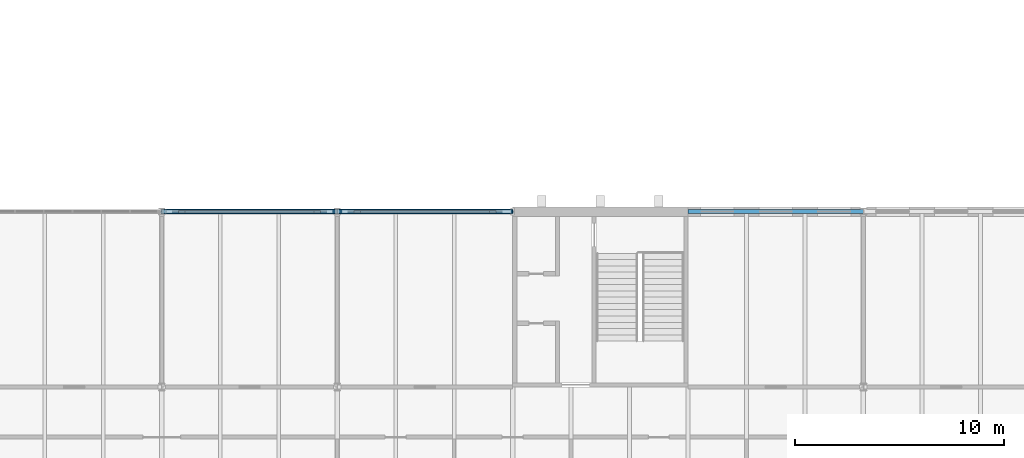
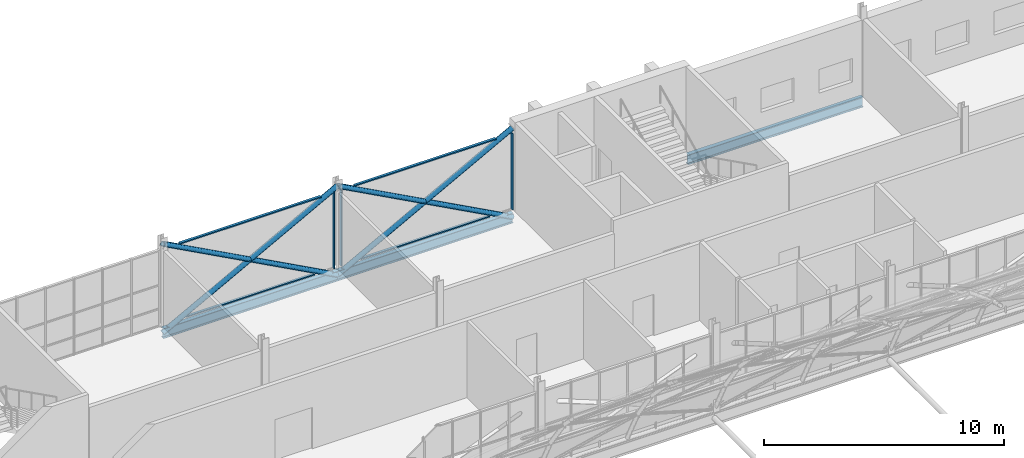
# One storey, part 61 of 121: 13 members, 3 beams, 2 elements without a shape of their own.
"""IFC4 building model written with IfcOpenShell, lengths in metres."""

from ifc_helpers import new_model, si_unit, direction, frame, origin, origin_2d, place, context, subcontext, project, spatial, rectangle, hollow_circle, i_section, extrude, material, layer, layer_set, material_profile, profile_set, type_object, element, aggregate, save


model = new_model("IFC4")

# Units and contexts
model_context = context("Model", 3, precision=1e-05, world=origin(), true_north=direction((0.0, 1.0)))
body_context = subcontext(model_context, "Body", "Model", "MODEL_VIEW")
ifc_project = project(units=[si_unit("LENGTHUNIT", "METRE"), si_unit("AREAUNIT", "SQUARE_METRE"), si_unit("VOLUMEUNIT", "CUBIC_METRE"), si_unit("PLANEANGLEUNIT", "RADIAN"), si_unit("MASSUNIT", "GRAM", prefix="KILO")], contexts=[model_context])

# Site, building, storey
site_placement = place(None, origin())
site = spatial("IfcSite", under=ifc_project, at=site_placement, CompositionType="ELEMENT")
building_placement = place(site_placement, origin())
building = spatial("IfcBuilding", under=site, at=building_placement, Name="Ardhachandra Cancer Care Centre", CompositionType="ELEMENT")
storey_placement = place(building_placement, frame((0.0, 0.0, 9.0)))
storey = spatial("IfcBuildingStorey", under=building, at=storey_placement, Name="L02", CompositionType="ELEMENT", Elevation=9.0)

# Beams
ifc_material_1 = material(Name="Steel E350 (IS 2062)", Category="steel")
ifc_material_profile_1 = material_profile(ifc_material_1, i_section(OverallWidth=0.199951171875, OverallDepth=0.5, WebThickness=0.01025390625, FlangeThickness=0.01611328125, FilletRadius=0.02099609375, at=origin_2d()), Name="NPB 500x200x90.68")
ifc_profile_set_1 = profile_set([ifc_material_profile_1], Name="Steel E350 (IS 2062)")
beam_type = type_object("IfcBeamType", Name="Beam NPB 500x200x90.68", PredefinedType="BEAM", material=ifc_profile_set_1)
beam_1_placement = place(storey_placement, frame((52.800048828125, 96.60009765625, -0.39990234375), z_axis=(1.0, 0.0, 0.0), x_axis=(0.0, 1.0, 0.0)))
element("IfcBeam", 1, at=beam_1_placement, inside=storey, type_object=beam_type, Name="Edge girder L6-L7", PredefinedType="BEAM", context=body_context, shape_type="SweptSolid", body=[
    extrude(i_section(OverallWidth=0.199951171875, OverallDepth=0.5, WebThickness=0.01025390625, FlangeThickness=0.01611328125, FilletRadius=0.02099609375, at=origin_2d()), origin(), (0.0, 0.0, 1.0), 8.39990234375),
])
beam_2_placement = place(storey_placement, frame((61.199951171875, 96.60009765625, -0.39990234375), z_axis=(1.0, 0.0, 0.0), x_axis=(0.0, 1.0, 0.0)))
element("IfcBeam", 2, at=beam_2_placement, inside=storey, type_object=beam_type, Name="Edge girder L7-L8", PredefinedType="BEAM", context=body_context, shape_type="SweptSolid", body=[
    extrude(i_section(OverallWidth=0.199951171875, OverallDepth=0.5, WebThickness=0.01025390625, FlangeThickness=0.01611328125, FilletRadius=0.02099609375, at=origin_2d()), origin(), (0.0, 0.0, 1.0), 8.400146484375),
])
beam_3_placement = place(storey_placement, frame((78.0, 96.60009765625, -0.39990234375), z_axis=(1.0, 0.0, 0.0), x_axis=(0.0, 1.0, 0.0)))
element("IfcBeam", 3, at=beam_3_placement, inside=storey, type_object=beam_type, Name="Edge girder L9-L10", PredefinedType="BEAM", context=body_context, shape_type="SweptSolid", body=[
    extrude(i_section(OverallWidth=0.199951171875, OverallDepth=0.5, WebThickness=0.01025390625, FlangeThickness=0.01611328125, FilletRadius=0.02099609375, at=origin_2d()), origin(), (0.0, 0.0, 1.0), 8.39990234375),
])

# Members
ifc_material_2 = material(Name="Steel E350 (IS 2062)", Category="steel")
ifc_material_profile_2 = material_profile(ifc_material_2, hollow_circle(Radius=0.122314453125, WallThickness=0.010009765625, at=origin_2d()), Name="CHS 244.5x10.0")
ifc_profile_set_2 = profile_set([ifc_material_profile_2], Name="Steel E350 (IS 2062)")
member_type_1 = type_object("IfcMemberType", Name="Brace CHS 244.5x10.0", PredefinedType="BRACE", material=ifc_profile_set_2)
member_1_placement = place(storey_placement, frame((52.800048828125, 96.60009765625, -0.39990234375), z_axis=(0.880698672939, 0.0, 0.473676944217), x_axis=(0.0, 1.0, 0.0)))
element("IfcMember", 4, at=member_1_placement, inside=storey, type_object=member_type_1, Name="Brace V1-X966-528 L02 A", PredefinedType="BRACE", context=body_context, shape_type="SweptSolid", body=[
    extrude(hollow_circle(Radius=0.122314453125, WallThickness=0.010009765625, at=origin_2d()), origin(), (0.0, 0.0, 1.0), 9.537841796875),
])
member_2_placement = place(storey_placement, frame((61.199951171875, 96.60009765625, -0.39990234375), z_axis=(-0.88070935116, 0.0, 0.473657089864), x_axis=(0.0, -1.0, 0.0)))
element("IfcMember", 5, at=member_2_placement, inside=storey, type_object=member_type_1, Name="Brace V1-X966-528 L02 B1", PredefinedType="BRACE", context=body_context, shape_type="SweptSolid", body=[
    extrude(hollow_circle(Radius=0.122314453125, WallThickness=0.010009765625, at=origin_2d()), origin(), (0.0, 0.0, 1.0), 4.768798828125),
])
member_3_placement = place(storey_placement, frame((57.0, 96.60009765625, 1.85888671875), z_axis=(-0.88068799453, 0.0, 0.473696797848), x_axis=(0.0, -1.0, 0.0)))
element("IfcMember", 6, at=member_3_placement, inside=storey, type_object=member_type_1, Name="Brace V1-X966-528 L02 B2", PredefinedType="BRACE", context=body_context, shape_type="SweptSolid", body=[
    extrude(hollow_circle(Radius=0.122314453125, WallThickness=0.010009765625, at=origin_2d()), origin(), (0.0, 0.0, 1.0), 4.76904296875),
])
member_4_placement = place(storey_placement, frame((61.199951171875, 96.60009765625, -0.39990234375), z_axis=(0.880704415994, 0.0, 0.473666266108), x_axis=(0.0, 1.0, 0.0)))
element("IfcMember", 7, at=member_4_placement, inside=storey, type_object=member_type_1, Name="Brace V1-X966-612 L02 A", PredefinedType="BRACE", context=body_context, shape_type="SweptSolid", body=[
    extrude(hollow_circle(Radius=0.122314453125, WallThickness=0.010009765625, at=origin_2d()), origin(), (0.0, 0.0, 1.0), 9.5380859375),
])
for number, where, z_axis, x_axis, name in (
    (8, (69.60009765625, 96.60009765625, -0.39990234375), (-0.880720836058, 0.0, 0.473635734434), (0.0, -1.0, 0.0), "Brace V1-X966-612 L02 B1"),
    (9, (65.39990234375, 96.60009765625, 1.85888671875), (-0.88068799453, 0.0, 0.473696797848), (0.0, -1.0, 0.0), "Brace V1-X966-612 L02 B2"),
):
    element("IfcMember", number, at=place(storey_placement, frame(where, z_axis=z_axis, x_axis=x_axis)), inside=storey, type_object=member_type_1, Name=name, PredefinedType="BRACE", context=body_context, shape_type="SweptSolid", body=[
        extrude(hollow_circle(Radius=0.122314453125, WallThickness=0.010009765625, at=origin_2d()), origin(), (0.0, 0.0, 1.0), 4.76904296875),
    ])

# Curtain wall, member
ifc_material_3 = material(Name="Aluminium extrusion", Category="aluminium")
ifc_layer = layer(ifc_material_3, 0.14990234375)
ifc_layer_set = layer_set([ifc_layer], Name="Aluminium extrusion")
curtain_wall_type = type_object("IfcCurtainWallType", Name="Curtain wall run", PredefinedType="NOTDEFINED", material=ifc_layer_set)
curtain_wall_1_placement = place(storey_placement, origin())
curtain_wall_1 = element("IfcCurtainWall", 10, at=curtain_wall_1_placement, inside=storey, type_object=curtain_wall_type, Name="Curtain wall L02 n/0052800_0096600", PredefinedType="NOTDEFINED")
ifc_material_4 = material(Name="Aluminium extrusion", Category="aluminium")
ifc_material_profile_3 = material_profile(ifc_material_4, rectangle(XDim=0.159912109375, YDim=0.06005859375, at=origin_2d()), Name="Curtain wall mullion 60 x 160")
ifc_profile_set_3 = profile_set([ifc_material_profile_3], Name="Aluminium extrusion")
member_type_2 = type_object("IfcMemberType", Name="Curtain wall mullion 60 x 160", PredefinedType="MULLION", material=ifc_profile_set_3)
member_5_placement = place(storey_placement, frame((61.02001953125, 96.60009765625, 0.0), z_axis=(0.0, 0.0, 1.0), x_axis=(0.0, 1.0, 0.0)))
member_5 = element("IfcMember", 11, at=member_5_placement, type_object=member_type_2, Name="CW mullion 2", PredefinedType="MULLION", context=body_context, shape_type="SweptSolid", body=[
    extrude(rectangle(XDim=0.159912109375, YDim=0.06005859375, at=origin_2d()), origin(), (0.0, 0.0, 1.0), 3.864990234375),
])

# Curtain wall, members
curtain_wall_2_placement = place(storey_placement, origin())
curtain_wall_2 = element("IfcCurtainWall", 12, at=curtain_wall_2_placement, inside=storey, type_object=curtain_wall_type, Name="Curtain wall L02 n/0061200_0096600", PredefinedType="NOTDEFINED")
member_6_placement = place(storey_placement, frame((61.3798828125, 96.60009765625, 0.0), z_axis=(0.0, 0.0, 1.0), x_axis=(0.0, 1.0, 0.0)))
member_6 = element("IfcMember", 13, at=member_6_placement, type_object=member_type_2, Name="CW mullion 1", PredefinedType="MULLION", context=body_context, shape_type="SweptSolid", body=[
    extrude(rectangle(XDim=0.159912109375, YDim=0.06005859375, at=origin_2d()), origin(), (0.0, 0.0, 1.0), 3.864990234375),
])
member_7_placement = place(storey_placement, frame((69.570068359375, 96.60009765625, 0.0), z_axis=(0.0, 0.0, 1.0), x_axis=(0.0, 1.0, 0.0)))
member_7 = element("IfcMember", 14, at=member_7_placement, type_object=member_type_2, Name="CW mullion 2", PredefinedType="MULLION", context=body_context, shape_type="SweptSolid", body=[
    extrude(rectangle(XDim=0.159912109375, YDim=0.06005859375, at=origin_2d()), origin(), (0.0, 0.0, 1.0), 3.885986328125),
])

# Member
ifc_material_5 = material(Name="Aluminium extrusion", Category="aluminium")
ifc_material_profile_4 = material_profile(ifc_material_5, rectangle(XDim=0.1201171875, YDim=0.06005859375, at=origin_2d()), Name="Curtain wall transom 60 x 120")
ifc_profile_set_4 = profile_set([ifc_material_profile_4], Name="Aluminium extrusion")
member_type_3 = type_object("IfcMemberType", Name="Curtain wall transom 60 x 120", PredefinedType="USERDEFINED", material=ifc_profile_set_4)
member_8_placement = place(storey_placement, frame((53.915771484375, 96.60009765625, 0.030029296875), z_axis=(1.0, 0.0, 0.0), x_axis=(0.0, 1.0, 0.0)))
member_8 = element("IfcMember", 15, at=member_8_placement, type_object=member_type_3, Name="CW transom 1.1", ObjectType="TRANSOM", PredefinedType="USERDEFINED", context=body_context, shape_type="SweptSolid", body=[
    extrude(rectangle(XDim=0.1201171875, YDim=0.06005859375, at=origin_2d()), origin(), (0.0, 0.0, 1.0), 6.16845703125),
])

member_9_placement = place(storey_placement, frame((53.603515625, 96.60009765625, 3.85595703125), z_axis=(1.0, 0.0, 0.0), x_axis=(0.0, 1.0, 0.0)))
member_9 = element("IfcMember", 16, at=member_9_placement, type_object=member_type_3, Name="CW transom 1.2", ObjectType="TRANSOM", PredefinedType="USERDEFINED", context=body_context, shape_type="SweptSolid", body=[
    extrude(rectangle(XDim=0.1201171875, YDim=0.06005859375, at=origin_2d()), origin(), (0.0, 0.0, 1.0), 6.79296875),
])

aggregate(curtain_wall_1, [member_5, member_8, member_9])

member_10_placement = place(storey_placement, frame((62.31591796875, 96.60009765625, 0.030029296875), z_axis=(1.0, 0.0, 0.0), x_axis=(0.0, 1.0, 0.0)))
member_10 = element("IfcMember", 17, at=member_10_placement, type_object=member_type_3, Name="CW transom 1.1", ObjectType="TRANSOM", PredefinedType="USERDEFINED", context=body_context, shape_type="SweptSolid", body=[
    extrude(rectangle(XDim=0.1201171875, YDim=0.06005859375, at=origin_2d()), origin(), (0.0, 0.0, 1.0), 6.168212890625),
])

member_11_placement = place(storey_placement, frame((62.00341796875, 96.60009765625, 3.85595703125), z_axis=(1.0, 0.0, 0.0), x_axis=(0.0, 1.0, 0.0)))
member_11 = element("IfcMember", 18, at=member_11_placement, type_object=member_type_3, Name="CW transom 1.2", ObjectType="TRANSOM", PredefinedType="USERDEFINED", context=body_context, shape_type="SweptSolid", body=[
    extrude(rectangle(XDim=0.1201171875, YDim=0.06005859375, at=origin_2d()), origin(), (0.0, 0.0, 1.0), 6.79296875),
])

aggregate(curtain_wall_2, [member_6, member_7, member_10, member_11])

save(model, "model.ifc")
